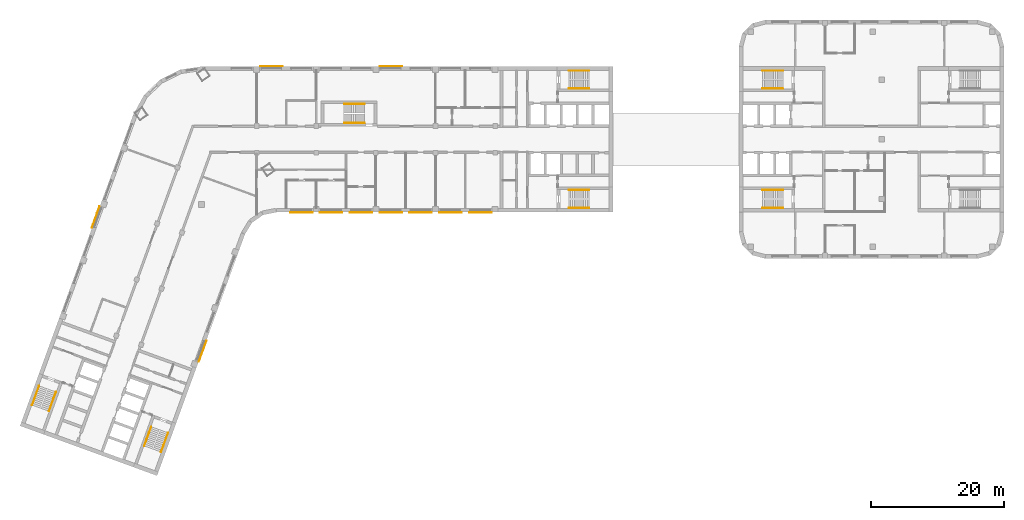
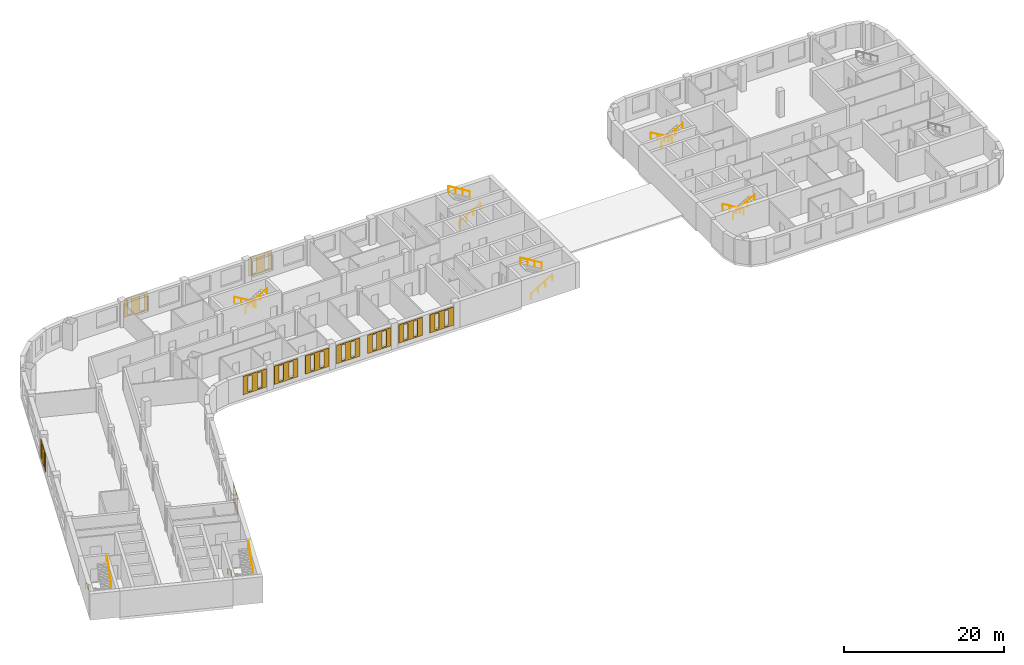
# One storey, part 11 of 12: 14 railings, 11 coverings.
"""IFC4 building model written with IfcOpenShell, lengths in metres."""

from ifc_helpers import new_model, si_unit, direction, frame, origin, origin_2d, place, context, subcontext, project, spatial, polyline, circle, outline, extrude, material, material_profile, profile_set, type_object, element, save


model = new_model("IFC4")

# Units and contexts
model_context = context("Model", 3, precision=1e-05, world=origin(), true_north=direction((0.0, 1.0)))
body_context = subcontext(model_context, "Body", "Model", "MODEL_VIEW")
ifc_project = project(units=[si_unit("LENGTHUNIT", "METRE"), si_unit("AREAUNIT", "SQUARE_METRE"), si_unit("VOLUMEUNIT", "CUBIC_METRE"), si_unit("PLANEANGLEUNIT", "RADIAN"), si_unit("MASSUNIT", "GRAM", prefix="KILO")], contexts=[model_context])

# Site, building, storey
site_placement = place(None, origin())
site = spatial("IfcSite", under=ifc_project, at=site_placement, CompositionType="ELEMENT")
building_placement = place(site_placement, origin())
building = spatial("IfcBuilding", under=site, at=building_placement, Name="Skarvind Civic Tower", CompositionType="ELEMENT")
storey_placement = place(building_placement, frame((0.0, 0.0, 35.5)))
storey = spatial("IfcBuildingStorey", under=building, at=storey_placement, Name="L07", CompositionType="ELEMENT", Elevation=35.5)

# Railings
ifc_material_1 = material(Name="Painted steel handrail", Category="steel")
railing_type = type_object("IfcRailingType", Name="Stair handrail 900", PredefinedType="HANDRAIL", material=ifc_material_1)
railing_1_placement = place(storey_placement, frame((101.35009765625, 135.64990234375, 0.166748046875)))
element("IfcRailing", 1, at=railing_1_placement, inside=storey, type_object=railing_type, Name="Stair handrail", PredefinedType="HANDRAIL", context=body_context, shape_type="SweptSolid", body=[
    extrude(circle(Radius=0.02392578125, at=origin_2d()), frame((0.0, 0.0, 0.8759765625), z_axis=(0.859290745958, 0.0, 0.51148745235), x_axis=(0.0, 1.0, 0.0)), (0.0, 0.0, 1.0), 3.584228515625),
    extrude(circle(Radius=0.02099609375, at=origin_2d()), origin(), (0.0, 0.0, 1.0), 0.851806640625),
    extrude(circle(Radius=0.02099609375, at=origin_2d()), frame((1.026611328125, 0.0, 0.611083984375)), (0.0, 0.0, 1.0), 0.851806640625),
    extrude(circle(Radius=0.02099609375, at=origin_2d()), frame((2.05322265625, 0.0, 1.22216796875)), (0.0, 0.0, 1.0), 0.851806640625),
    extrude(circle(Radius=0.02099609375, at=origin_2d()), frame((3.079833984375, 0.0, 1.833251953125)), (0.0, 0.0, 1.0), 0.851806640625),
])
railing_2_placement = place(storey_placement, frame((104.429931640625, 138.35009765625, 2.166748046875)))
element("IfcRailing", 2, at=railing_2_placement, inside=storey, type_object=railing_type, Name="Stair handrail", PredefinedType="HANDRAIL", context=body_context, shape_type="SweptSolid", body=[
    extrude(circle(Radius=0.02392578125, at=origin_2d()), frame((0.0, 0.0, 0.8759765625), z_axis=(-0.859290745958, 0.0, 0.51148745235), x_axis=(0.0, -1.0, 0.0)), (0.0, 0.0, 1.0), 3.584228515625),
    extrude(circle(Radius=0.02099609375, at=origin_2d()), origin(), (0.0, 0.0, 1.0), 0.851806640625),
    extrude(circle(Radius=0.02099609375, at=origin_2d()), frame((-1.026611328125, 0.0, 0.611083984375)), (0.0, 0.0, 1.0), 0.851806640625),
    extrude(circle(Radius=0.02099609375, at=origin_2d()), frame((-2.05322265625, 0.0, 1.22216796875)), (0.0, 0.0, 1.0), 0.851806640625),
    extrude(circle(Radius=0.02099609375, at=origin_2d()), frame((-3.079833984375, 0.0, 1.833251953125)), (0.0, 0.0, 1.0), 0.851806640625),
])
railing_3_placement = place(storey_placement, frame((101.35009765625, 117.64990234375, 0.166748046875)))
element("IfcRailing", 3, at=railing_3_placement, inside=storey, type_object=railing_type, Name="Stair handrail", PredefinedType="HANDRAIL", context=body_context, shape_type="SweptSolid", body=[
    extrude(circle(Radius=0.02392578125, at=origin_2d()), frame((0.0, 0.0, 0.8759765625), z_axis=(0.859290745958, 0.0, 0.51148745235), x_axis=(0.0, 1.0, 0.0)), (0.0, 0.0, 1.0), 3.584228515625),
    extrude(circle(Radius=0.02099609375, at=origin_2d()), origin(), (0.0, 0.0, 1.0), 0.851806640625),
    extrude(circle(Radius=0.02099609375, at=origin_2d()), frame((1.026611328125, 0.0, 0.611083984375)), (0.0, 0.0, 1.0), 0.851806640625),
    extrude(circle(Radius=0.02099609375, at=origin_2d()), frame((2.05322265625, 0.0, 1.22216796875)), (0.0, 0.0, 1.0), 0.851806640625),
    extrude(circle(Radius=0.02099609375, at=origin_2d()), frame((3.079833984375, 0.0, 1.833251953125)), (0.0, 0.0, 1.0), 0.851806640625),
])
railing_4_placement = place(storey_placement, frame((104.429931640625, 120.35009765625, 2.166748046875)))
element("IfcRailing", 4, at=railing_4_placement, inside=storey, type_object=railing_type, Name="Stair handrail", PredefinedType="HANDRAIL", context=body_context, shape_type="SweptSolid", body=[
    extrude(circle(Radius=0.02392578125, at=origin_2d()), frame((0.0, 0.0, 0.8759765625), z_axis=(-0.859290745958, 0.0, 0.51148745235), x_axis=(0.0, -1.0, 0.0)), (0.0, 0.0, 1.0), 3.584228515625),
    extrude(circle(Radius=0.02099609375, at=origin_2d()), origin(), (0.0, 0.0, 1.0), 0.851806640625),
    extrude(circle(Radius=0.02099609375, at=origin_2d()), frame((-1.026611328125, 0.0, 0.611083984375)), (0.0, 0.0, 1.0), 0.851806640625),
    extrude(circle(Radius=0.02099609375, at=origin_2d()), frame((-2.05322265625, 0.0, 1.22216796875)), (0.0, 0.0, 1.0), 0.851806640625),
    extrude(circle(Radius=0.02099609375, at=origin_2d()), frame((-3.079833984375, 0.0, 1.833251953125)), (0.0, 0.0, 1.0), 0.851806640625),
])
railing_5_placement = place(storey_placement, frame((38.362060546875, 84.64794921875, 0.166748046875)))
element("IfcRailing", 5, at=railing_5_placement, inside=storey, type_object=railing_type, Name="Stair handrail", PredefinedType="HANDRAIL", context=body_context, shape_type="SweptSolid", body=[
    extrude(circle(Radius=0.02392578125, at=origin_2d()), frame((0.0, 0.0, 0.8759765625), z_axis=(-0.293908055923, -0.807480881337, 0.511461319103), x_axis=(0.939689235759, -0.342029443467, 0.0)), (0.0, 0.0, 1.0), 3.584228515625),
    extrude(circle(Radius=0.02099609375, at=origin_2d()), origin(), (0.0, 0.0, 1.0), 0.851806640625),
    extrude(circle(Radius=0.02099609375, at=origin_2d()), frame((-0.35107421875, -0.96484375, 0.611083984375)), (0.0, 0.0, 1.0), 0.851806640625),
    extrude(circle(Radius=0.02099609375, at=origin_2d()), frame((-0.702392578125, -1.929443359375, 1.22216796875)), (0.0, 0.0, 1.0), 0.851806640625),
    extrude(circle(Radius=0.02099609375, at=origin_2d()), frame((-1.053466796875, -2.894287109375, 1.833251953125)), (0.0, 0.0, 1.0), 0.851806640625),
])
railing_6_placement = place(storey_placement, frame((39.845703125, 80.830078125, 2.166748046875)))
element("IfcRailing", 6, at=railing_6_placement, inside=storey, type_object=railing_type, Name="Stair handrail", PredefinedType="HANDRAIL", context=body_context, shape_type="SweptSolid", body=[
    extrude(circle(Radius=0.02392578125, at=origin_2d()), frame((0.0, 0.0, 0.8759765625), z_axis=(0.293908055923, 0.807480881337, 0.511461319103), x_axis=(-0.939689235759, 0.342029443467, 0.0)), (0.0, 0.0, 1.0), 3.584228515625),
    extrude(circle(Radius=0.02099609375, at=origin_2d()), origin(), (0.0, 0.0, 1.0), 0.851806640625),
    extrude(circle(Radius=0.02099609375, at=origin_2d()), frame((0.35107421875, 0.96484375, 0.611083984375)), (0.0, 0.0, 1.0), 0.851806640625),
    extrude(circle(Radius=0.02099609375, at=origin_2d()), frame((0.702392578125, 1.929443359375, 1.22216796875)), (0.0, 0.0, 1.0), 0.851806640625),
    extrude(circle(Radius=0.02099609375, at=origin_2d()), frame((1.053466796875, 2.894287109375, 1.833251953125)), (0.0, 0.0, 1.0), 0.851806640625),
])
railing_7_placement = place(storey_placement, frame((21.447509765625, 90.80419921875, 0.166748046875)))
element("IfcRailing", 7, at=railing_7_placement, inside=storey, type_object=railing_type, Name="Stair handrail", PredefinedType="HANDRAIL", context=body_context, shape_type="SweptSolid", body=[
    extrude(circle(Radius=0.02392578125, at=origin_2d()), frame((0.0, 0.0, 0.8759765625), z_axis=(-0.293845824691, -0.807497044902, 0.511471557163), x_axis=(0.939714709796, -0.34195944817, 0.0)), (0.0, 0.0, 1.0), 3.584228515625),
    extrude(circle(Radius=0.02099609375, at=origin_2d()), origin(), (0.0, 0.0, 1.0), 0.851806640625),
    extrude(circle(Radius=0.02099609375, at=origin_2d()), frame((-0.35107421875, -0.96484375, 0.611083984375)), (0.0, 0.0, 1.0), 0.851806640625),
    extrude(circle(Radius=0.02099609375, at=origin_2d()), frame((-0.7021484375, -1.929443359375, 1.22216796875)), (0.0, 0.0, 1.0), 0.851806640625),
    extrude(circle(Radius=0.02099609375, at=origin_2d()), frame((-1.05322265625, -2.894287109375, 1.833251953125)), (0.0, 0.0, 1.0), 0.851806640625),
])
railing_8_placement = place(storey_placement, frame((22.931396484375, 86.986572265625, 2.166748046875)))
element("IfcRailing", 8, at=railing_8_placement, inside=storey, type_object=railing_type, Name="Stair handrail", PredefinedType="HANDRAIL", context=body_context, shape_type="SweptSolid", body=[
    extrude(circle(Radius=0.02392578125, at=origin_2d()), frame((0.0, 0.0, 0.8759765625), z_axis=(0.293908055923, 0.807480881337, 0.511461319103), x_axis=(-0.939689235759, 0.342029443467, 0.0)), (0.0, 0.0, 1.0), 3.584228515625),
    extrude(circle(Radius=0.02099609375, at=origin_2d()), origin(), (0.0, 0.0, 1.0), 0.851806640625),
    extrude(circle(Radius=0.02099609375, at=origin_2d()), frame((0.35107421875, 0.96484375, 0.611083984375)), (0.0, 0.0, 1.0), 0.851806640625),
    extrude(circle(Radius=0.02099609375, at=origin_2d()), frame((0.702392578125, 1.929443359375, 1.22216796875)), (0.0, 0.0, 1.0), 0.851806640625),
    extrude(circle(Radius=0.02099609375, at=origin_2d()), frame((1.053466796875, 2.894287109375, 1.833251953125)), (0.0, 0.0, 1.0), 0.851806640625),
])
railing_9_placement = place(storey_placement, frame((133.64990234375, 120.35009765625, 0.166748046875)))
element("IfcRailing", 9, at=railing_9_placement, inside=storey, type_object=railing_type, Name="Stair handrail", PredefinedType="HANDRAIL", context=body_context, shape_type="SweptSolid", body=[
    extrude(circle(Radius=0.02392578125, at=origin_2d()), frame((0.0, 0.0, 0.8759765625), z_axis=(-0.859290745958, 0.0, 0.51148745235), x_axis=(0.0, -1.0, 0.0)), (0.0, 0.0, 1.0), 3.584228515625),
    extrude(circle(Radius=0.02099609375, at=origin_2d()), origin(), (0.0, 0.0, 1.0), 0.851806640625),
    extrude(circle(Radius=0.02099609375, at=origin_2d()), frame((-1.026611328125, 0.0, 0.611083984375)), (0.0, 0.0, 1.0), 0.851806640625),
    extrude(circle(Radius=0.02099609375, at=origin_2d()), frame((-2.05322265625, 0.0, 1.22216796875)), (0.0, 0.0, 1.0), 0.851806640625),
    extrude(circle(Radius=0.02099609375, at=origin_2d()), frame((-3.079833984375, 0.0, 1.833251953125)), (0.0, 0.0, 1.0), 0.851806640625),
])
railing_10_placement = place(storey_placement, frame((130.570068359375, 117.64990234375, 2.166748046875)))
element("IfcRailing", 10, at=railing_10_placement, inside=storey, type_object=railing_type, Name="Stair handrail", PredefinedType="HANDRAIL", context=body_context, shape_type="SweptSolid", body=[
    extrude(circle(Radius=0.02392578125, at=origin_2d()), frame((0.0, 0.0, 0.8759765625), z_axis=(0.859290745958, 0.0, 0.51148745235), x_axis=(0.0, 1.0, 0.0)), (0.0, 0.0, 1.0), 3.584228515625),
    extrude(circle(Radius=0.02099609375, at=origin_2d()), origin(), (0.0, 0.0, 1.0), 0.851806640625),
    extrude(circle(Radius=0.02099609375, at=origin_2d()), frame((1.026611328125, 0.0, 0.611083984375)), (0.0, 0.0, 1.0), 0.851806640625),
    extrude(circle(Radius=0.02099609375, at=origin_2d()), frame((2.05322265625, 0.0, 1.22216796875)), (0.0, 0.0, 1.0), 0.851806640625),
    extrude(circle(Radius=0.02099609375, at=origin_2d()), frame((3.079833984375, 0.0, 1.833251953125)), (0.0, 0.0, 1.0), 0.851806640625),
])
railing_11_placement = place(storey_placement, frame((133.64990234375, 138.35009765625, 0.166748046875)))
element("IfcRailing", 11, at=railing_11_placement, inside=storey, type_object=railing_type, Name="Stair handrail", PredefinedType="HANDRAIL", context=body_context, shape_type="SweptSolid", body=[
    extrude(circle(Radius=0.02392578125, at=origin_2d()), frame((0.0, 0.0, 0.8759765625), z_axis=(-0.859290745958, 0.0, 0.51148745235), x_axis=(0.0, -1.0, 0.0)), (0.0, 0.0, 1.0), 3.584228515625),
    extrude(circle(Radius=0.02099609375, at=origin_2d()), origin(), (0.0, 0.0, 1.0), 0.851806640625),
    extrude(circle(Radius=0.02099609375, at=origin_2d()), frame((-1.026611328125, 0.0, 0.611083984375)), (0.0, 0.0, 1.0), 0.851806640625),
    extrude(circle(Radius=0.02099609375, at=origin_2d()), frame((-2.05322265625, 0.0, 1.22216796875)), (0.0, 0.0, 1.0), 0.851806640625),
    extrude(circle(Radius=0.02099609375, at=origin_2d()), frame((-3.079833984375, 0.0, 1.833251953125)), (0.0, 0.0, 1.0), 0.851806640625),
])
railing_12_placement = place(storey_placement, frame((130.570068359375, 135.64990234375, 2.166748046875)))
element("IfcRailing", 12, at=railing_12_placement, inside=storey, type_object=railing_type, Name="Stair handrail", PredefinedType="HANDRAIL", context=body_context, shape_type="SweptSolid", body=[
    extrude(circle(Radius=0.02392578125, at=origin_2d()), frame((0.0, 0.0, 0.8759765625), z_axis=(0.859290745958, 0.0, 0.51148745235), x_axis=(0.0, 1.0, 0.0)), (0.0, 0.0, 1.0), 3.584228515625),
    extrude(circle(Radius=0.02099609375, at=origin_2d()), origin(), (0.0, 0.0, 1.0), 0.851806640625),
    extrude(circle(Radius=0.02099609375, at=origin_2d()), frame((1.026611328125, 0.0, 0.611083984375)), (0.0, 0.0, 1.0), 0.851806640625),
    extrude(circle(Radius=0.02099609375, at=origin_2d()), frame((2.05322265625, 0.0, 1.22216796875)), (0.0, 0.0, 1.0), 0.851806640625),
    extrude(circle(Radius=0.02099609375, at=origin_2d()), frame((3.079833984375, 0.0, 1.833251953125)), (0.0, 0.0, 1.0), 0.851806640625),
])
railing_13_placement = place(storey_placement, frame((70.550048828125, 133.35009765625, 0.166748046875)))
element("IfcRailing", 13, at=railing_13_placement, inside=storey, type_object=railing_type, Name="Stair handrail", PredefinedType="HANDRAIL", context=body_context, shape_type="SweptSolid", body=[
    extrude(circle(Radius=0.02392578125, at=origin_2d()), frame((0.0, 0.0, 0.8759765625), z_axis=(-0.859308565015, 0.0, 0.511457515432), x_axis=(0.0, -1.0, 0.0)), (0.0, 0.0, 1.0), 3.58447265625),
    extrude(circle(Radius=0.02099609375, at=origin_2d()), origin(), (0.0, 0.0, 1.0), 0.851806640625),
    extrude(circle(Radius=0.02099609375, at=origin_2d()), frame((-1.026611328125, 0.0, 0.611083984375)), (0.0, 0.0, 1.0), 0.851806640625),
    extrude(circle(Radius=0.02099609375, at=origin_2d()), frame((-2.053466796875, 0.0, 1.22216796875)), (0.0, 0.0, 1.0), 0.851806640625),
    extrude(circle(Radius=0.02099609375, at=origin_2d()), frame((-3.080078125, 0.0, 1.833251953125)), (0.0, 0.0, 1.0), 0.851806640625),
])
railing_14_placement = place(storey_placement, frame((67.469970703125, 130.449951171875, 2.166748046875)))
element("IfcRailing", 14, at=railing_14_placement, inside=storey, type_object=railing_type, Name="Stair handrail", PredefinedType="HANDRAIL", context=body_context, shape_type="SweptSolid", body=[
    extrude(circle(Radius=0.02392578125, at=origin_2d()), frame((0.0, 0.0, 0.8759765625), z_axis=(0.859308565015, 0.0, 0.511457515432), x_axis=(0.0, 1.0, 0.0)), (0.0, 0.0, 1.0), 3.58447265625),
    extrude(circle(Radius=0.02099609375, at=origin_2d()), origin(), (0.0, 0.0, 1.0), 0.851806640625),
    extrude(circle(Radius=0.02099609375, at=origin_2d()), frame((1.026611328125, 0.0, 0.611083984375)), (0.0, 0.0, 1.0), 0.851806640625),
    extrude(circle(Radius=0.02099609375, at=origin_2d()), frame((2.053466796875, 0.0, 1.22216796875)), (0.0, 0.0, 1.0), 0.851806640625),
    extrude(circle(Radius=0.02099609375, at=origin_2d()), frame((3.080078125, 0.0, 1.833251953125)), (0.0, 0.0, 1.0), 0.851806640625),
])

# Coverings
ifc_material_2 = material(Name="Terracotta", Category="masonry")
ifc_material_profile_1 = material_profile(ifc_material_2, outline(polyline([(-1.699951171875, -1.39990234375), (1.699951171875, -1.39990234375), (1.699951171875, 1.39990234375), (-1.699951171875, 1.39990234375), (-1.699951171875, -1.39990234375)]), holes=[polyline([(-1.0, -1.18994140625), (-0.39990234375, -1.18994140625), (-0.39990234375, 1.18994140625), (-1.0, 1.18994140625), (-1.0, -1.18994140625)]), polyline([(0.39990234375, -1.18994140625), (1.0, -1.18994140625), (1.0, 1.18994140625), (0.39990234375, 1.18994140625), (0.39990234375, -1.18994140625)])]), Name="TERRACOTTA SCREEN 3400 x 2800, SLIT PITCH 1400")
ifc_profile_set_1 = profile_set([ifc_material_profile_1], Name="Terracotta")
covering_type_1 = type_object("IfcCoveringType", Name="TERRACOTTA SCREEN 3400 x 2800, SLIT PITCH 1400", PredefinedType="CLADDING", material=ifc_profile_set_1)
for number, where, z_axis, x_axis, name in (
    (15, (88.0, 117.0, 2.10009765625), (0.0, -1.0, 0.0), (1.0, 0.0, 0.0), "TERRACOTTA SCREEN"),
    (16, (83.5, 117.0, 2.10009765625), (0.0, -1.0, 0.0), (1.0, 0.0, 0.0), "TERRACOTTA SCREEN"),
    (17, (79.0, 117.0, 2.10009765625), (0.0, -1.0, 0.0), (1.0, 0.0, 0.0), "TERRACOTTA SCREEN"),
    (18, (74.5, 117.0, 2.10009765625), (0.0, -1.0, 0.0), (1.0, 0.0, 0.0), "TERRACOTTA SCREEN"),
    (19, (70.0, 117.0, 2.10009765625), (0.0, -1.0, 0.0), (1.0, 0.0, 0.0), "TERRACOTTA SCREEN"),
    (20, (65.5, 117.0, 2.10009765625), (0.0, -1.0, 0.0), (1.0, 0.0, 0.0), "TERRACOTTA SCREEN"),
    (21, (61.0, 117.0, 2.10009765625), (0.0, -1.0, 0.0), (1.0, 0.0, 0.0), "TERRACOTTA SCREEN"),
):
    element("IfcCovering", number, at=place(storey_placement, frame(where, z_axis=z_axis, x_axis=x_axis)), inside=storey, type_object=covering_type_1, Name=name, PredefinedType="CLADDING", context=body_context, shape_type="SweptSolid", body=[
        extrude(outline(polyline([(-1.699951171875, -1.39990234375), (1.699951171875, -1.39990234375), (1.699951171875, 1.39990234375), (-1.699951171875, 1.39990234375), (-1.699951171875, -1.39990234375)]), holes=[polyline([(-1.0, -1.18994140625), (-0.39990234375, -1.18994140625), (-0.39990234375, 1.18994140625), (-1.0, 1.18994140625), (-1.0, -1.18994140625)]), polyline([(0.39990234375, -1.18994140625), (1.0, -1.18994140625), (1.0, 1.18994140625), (0.39990234375, 1.18994140625), (0.39990234375, -1.18994140625)])]), origin(), (0.0, 0.0, 1.0), 0.06005859375),
    ])
ifc_material_profile_2 = material_profile(ifc_material_2, outline(polyline([(-1.699951171875, -1.39990234375), (1.699951171875, -1.39990234375), (1.699951171875, 1.39990234375), (-1.699951171875, 1.39990234375), (-1.699951171875, -1.39990234375)]), holes=[polyline([(-1.199951171875, -1.18994140625), (-0.60009765625, -1.18994140625), (-0.60009765625, 1.18994140625), (-1.199951171875, 1.18994140625), (-1.199951171875, -1.18994140625)]), polyline([(0.60009765625, -1.18994140625), (1.199951171875, -1.18994140625), (1.199951171875, 1.18994140625), (0.60009765625, 1.18994140625), (0.60009765625, -1.18994140625)])]), Name="TERRACOTTA SCREEN 3400 x 2800, SLIT PITCH 1800")
ifc_profile_set_2 = profile_set([ifc_material_profile_2], Name="Terracotta")
covering_type_2 = type_object("IfcCoveringType", Name="TERRACOTTA SCREEN 3400 x 2800, SLIT PITCH 1800", PredefinedType="CLADDING", material=ifc_profile_set_2)
for number, where, z_axis, x_axis, name in (
    (22, (46.075927734375, 96.047119140625, 2.10009765625), (0.939793423488, -0.341743063087, 0.0), (0.341743063087, 0.939793423488, 0.0), "TERRACOTTA SCREEN"),
    (23, (56.5, 139.0, 2.10009765625), (0.0, 1.0, 0.0), (-1.0, 0.0, 0.0), "TERRACOTTA SCREEN"),
    (24, (74.5, 139.0, 2.10009765625), (0.0, 1.0, 0.0), (-1.0, 0.0, 0.0), "TERRACOTTA SCREEN"),
    (25, (30.02001953125, 116.25732421875, 2.10009765625), (-0.939793423488, 0.341743063087, 0.0), (-0.341743063087, -0.939793423488, 0.0), "TERRACOTTA SCREEN"),
):
    element("IfcCovering", number, at=place(storey_placement, frame(where, z_axis=z_axis, x_axis=x_axis)), inside=storey, type_object=covering_type_2, Name=name, PredefinedType="CLADDING", context=body_context, shape_type="SweptSolid", body=[
        extrude(outline(polyline([(-1.699951171875, -1.39990234375), (1.699951171875, -1.39990234375), (1.699951171875, 1.39990234375), (-1.699951171875, 1.39990234375), (-1.699951171875, -1.39990234375)]), holes=[polyline([(-1.199951171875, -1.18994140625), (-0.60009765625, -1.18994140625), (-0.60009765625, 1.18994140625), (-1.199951171875, 1.18994140625), (-1.199951171875, -1.18994140625)]), polyline([(0.60009765625, -1.18994140625), (1.199951171875, -1.18994140625), (1.199951171875, 1.18994140625), (0.60009765625, 1.18994140625), (0.60009765625, -1.18994140625)])]), origin(), (0.0, 0.0, 1.0), 0.06005859375),
    ])

save(model, "model.ifc")
